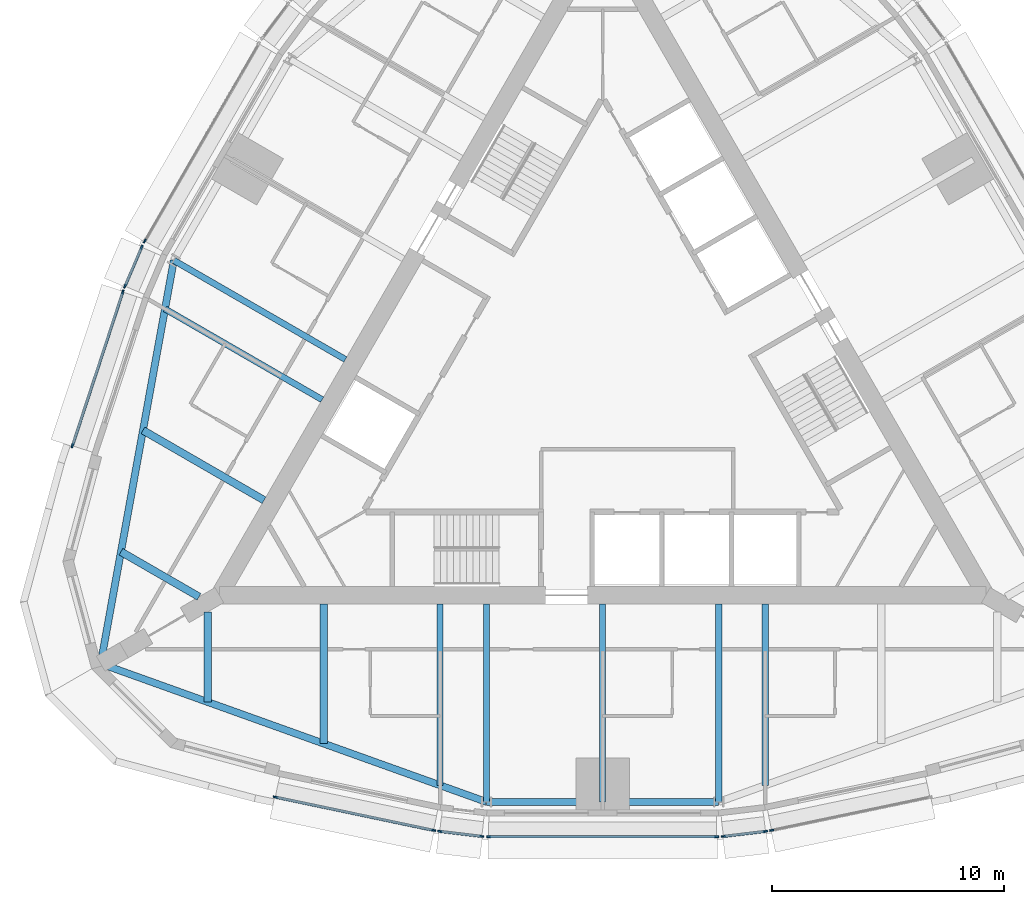
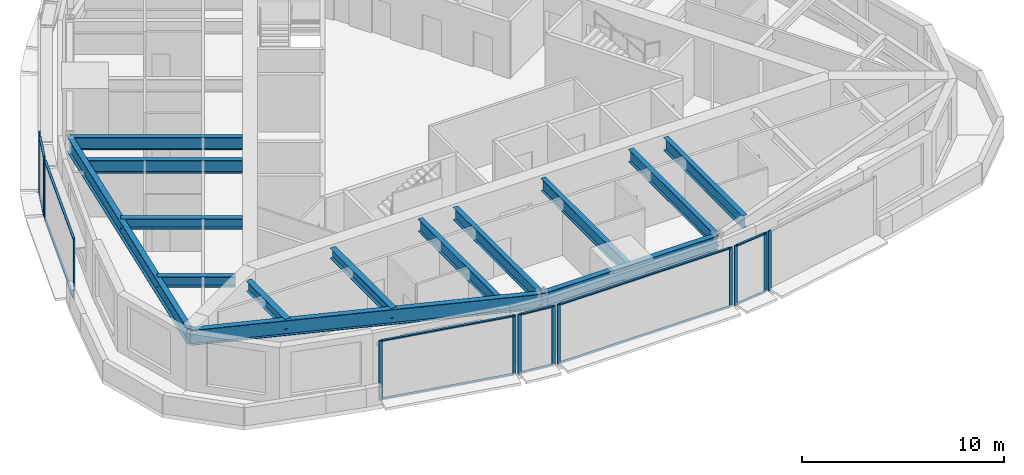
# One storey, part 2 of 13: 26 members, 14 beams, 8 elements without a shape of their own.
"""IFC4 building model written with IfcOpenShell, lengths in metres."""

import ifcopenshell
import ifcopenshell.guid

model = None  # the IFC model being written
_history = None  # IfcOwnerHistory: only IFC2X3 demands one
_inside = {}  # id of a spatial element -> (the spatial element, [elements in it])
_under = {}  # id of a project, library or spatial element -> (it, [spatial elements below it])
_declared = {}  # id of a project -> (the project, [libraries it declares])
_typed = {}  # id of a type object -> (the type object, [elements of that type])
_made_of = {}  # id of a material, layer set ... -> (it, [elements and type objects made of it])


def new_model(schema):
    """Start an empty IFC model of exactly this schema.

    Asked for "IFC4X3", IfcOpenShell would pick the latest addendum, in which some entities
    have other attributes; the version numbers below select the first issue.
    IFC2X3 requires an IfcOwnerHistory on every rooted entity: one is made here for all.
    """
    global model, _history
    if schema == "IFC4X3":
        model = ifcopenshell.file(schema_version=(4, 3, 0, 0))
    else:
        model = ifcopenshell.file(schema=schema)
    _inside.clear()
    _under.clear()
    _declared.clear()
    _typed.clear()
    _made_of.clear()
    _history = None
    if model.schema == "IFC2X3":
        org = make("IfcOrganization", Name="unknown")
        user = make(
            "IfcPersonAndOrganization",
            ThePerson=make("IfcPerson", FamilyName="unknown"),
            TheOrganization=org,
        )
        app = make(
            "IfcApplication",
            ApplicationDeveloper=org,
            Version="unknown",
            ApplicationFullName="unknown",
            ApplicationIdentifier="unknown",
        )
        _history = make(
            "IfcOwnerHistory",
            OwningUser=user,
            OwningApplication=app,
            ChangeAction="ADDED",
            CreationDate=0,
        )
    return model


def make(cls, **values):
    """One entity of the class cls with the attributes given. An attribute that is None is left unset."""
    return model.create_entity(
        cls, **{name: value for name, value in values.items() if value is not None}
    )


def rooted(cls, **values):
    """An entity with a GlobalId (a new one), such as an element, a storey or a relation."""
    return make(cls, GlobalId=ifcopenshell.guid.new(), OwnerHistory=_history, **values)


def si_unit(unit_type, name, prefix=None):
    """IfcSIUnit, for example si_unit("LENGTHUNIT", "METRE", prefix="MILLI")."""
    return make("IfcSIUnit", UnitType=unit_type, Prefix=prefix, Name=name)


def assignment(units):
    """IfcUnitAssignment: the units of a project."""
    return None if units is None else make("IfcUnitAssignment", Units=units)


def point(xyz):
    """IfcCartesianPoint."""
    return None if xyz is None else make("IfcCartesianPoint", Coordinates=xyz)


def direction(xyz):
    """IfcDirection."""
    return None if xyz is None else make("IfcDirection", DirectionRatios=xyz)


def frame(location, z_axis=None, x_axis=None):
    """IfcAxis2Placement3D, a coordinate frame: its origin and axes. An axis left out is left unset."""
    return make(
        "IfcAxis2Placement3D",
        Location=point(location),
        Axis=direction(z_axis),
        RefDirection=direction(x_axis),
    )


def frame_2d(location, x_axis=None):
    """IfcAxis2Placement2D, a coordinate frame in the plane: its origin and x axis."""
    return make(
        "IfcAxis2Placement2D", Location=point(location), RefDirection=direction(x_axis)
    )


def origin():
    """The frame at (0, 0, 0) with its axes left unset."""
    return frame((0.0, 0.0, 0.0))


def origin_2d():
    """The frame at (0, 0) in the plane with its x axis left unset."""
    return frame_2d((0.0, 0.0))


def place(relative_to, where):
    """IfcLocalPlacement: puts the frame where relative to a parent placement (None: the world)."""
    return make(
        "IfcLocalPlacement", PlacementRelTo=relative_to, RelativePlacement=where
    )


def context(
    kind, dimensions, precision=None, world=None, true_north=None, identifier=None
):
    """IfcGeometricRepresentationContext, for example the 3D "Model" context."""
    return make(
        "IfcGeometricRepresentationContext",
        ContextIdentifier=identifier,
        ContextType=kind,
        CoordinateSpaceDimension=dimensions,
        Precision=precision,
        WorldCoordinateSystem=world,
        TrueNorth=true_north,
    )


def subcontext(parent, identifier, kind, view, scale=None):
    """IfcGeometricRepresentationSubContext, for example "Body" below "Model"."""
    return make(
        "IfcGeometricRepresentationSubContext",
        ContextIdentifier=identifier,
        ContextType=kind,
        ParentContext=parent,
        TargetScale=scale,
        TargetView=view,
    )


def project(units=None, contexts=None):
    """IfcProject with its units and contexts."""
    return rooted(
        "IfcProject",
        Name="project",
        RepresentationContexts=contexts,
        UnitsInContext=assignment(units),
    )


def spatial(cls, under=None, at=None, **own):
    """A site, building, storey or space (cls), placed at a placement, below another one or the project."""
    s = rooted(cls, ObjectPlacement=at, **own)
    if under is not None:
        _under.setdefault(under.id(), (under, []))[1].append(s)
    return s


def profile(cls, at=None, kind="AREA", **sizes):
    """A parametric profile (cls). Its sizes go by their IFC names, for example OverallWidth=200.0."""
    return make(cls, ProfileType=kind, Position=at, **sizes)


def rectangle(**sizes):
    """IfcRectangleProfileDef."""
    return profile("IfcRectangleProfileDef", **sizes)


def i_section(**sizes):
    """IfcIShapeProfileDef."""
    return profile("IfcIShapeProfileDef", **sizes)


def extrude(swept, where, along, depth):
    """IfcExtrudedAreaSolid: the profile swept, set in the frame where, extruded along a direction by depth."""
    return make(
        "IfcExtrudedAreaSolid",
        SweptArea=swept,
        Position=where,
        ExtrudedDirection=direction(along),
        Depth=depth,
    )


def shape(context_of_items, identifier, shape_type, items):
    """IfcShapeRepresentation: the items that make up one representation, for example the "Body"."""
    return make(
        "IfcShapeRepresentation",
        ContextOfItems=context_of_items,
        RepresentationIdentifier=identifier,
        RepresentationType=shape_type,
        Items=items,
    )


def material(Name=None, Category=None):
    """IfcMaterial."""
    return make("IfcMaterial", Name=Name, Category=Category)


def material_profile(
    of_material, cross_section, Name=None, Category=None, Priority=None
):
    """IfcMaterialProfile: a cross section and its material."""
    return make(
        "IfcMaterialProfile",
        Name=Name,
        Material=of_material,
        Profile=cross_section,
        Priority=Priority,
        Category=Category,
    )


def profile_set(profiles, Name=None, composite=None):
    """IfcMaterialProfileSet."""
    return make(
        "IfcMaterialProfileSet",
        Name=Name,
        MaterialProfiles=profiles,
        CompositeProfile=composite,
    )


def made_of(thing, what):
    """Note that an element or type object is made of a material, layer set ...; save() writes the relation."""
    if what is not None:
        _made_of.setdefault(what.id(), (what, []))[1].append(thing)
    return thing


def type_object(cls, material=None, **own):
    """A type object (cls), such as IfcWallType, which elements share."""
    return made_of(rooted(cls, **own), material)


def element(
    cls,
    number,
    at=None,
    inside=None,
    cuts=None,
    type_object=None,
    material=None,
    context=None,
    identifier="Body",
    shape_type=None,
    held_by="IfcProductDefinitionShape",
    body=None,
    shapes=None,
    **own,
):
    """One element of the class cls, such as IfcWall. Its Tag is "e" and its number.

    at: its placement. inside: the storey or other place that contains it. cuts: it is an
    opening in that element (IfcRelVoidsElement). A single representation is given by context,
    identifier, shape_type and body (its items); several are given by shapes. held_by: the class
    of the entity that holds the representations. save() writes the other relations.
    """
    e = rooted(cls, Tag="e%d" % number, ObjectPlacement=at, **own)
    if body is not None:
        shapes = [shape(context, identifier, shape_type, body)]
    if shapes is not None:
        e.Representation = make(held_by, Representations=shapes)
    if inside is not None:
        _inside.setdefault(inside.id(), (inside, []))[1].append(e)
    if cuts is not None:
        rooted(
            "IfcRelVoidsElement", RelatingBuildingElement=cuts, RelatedOpeningElement=e
        )
    if type_object is not None:
        _typed.setdefault(type_object.id(), (type_object, []))[1].append(e)
    return made_of(e, material)


def aggregate(whole, parts):
    """IfcRelAggregates: a whole, such as a stair, and the parts it consists of."""
    return rooted("IfcRelAggregates", RelatingObject=whole, RelatedObjects=parts)


def save(model, path):
    """Write the relations noted so far, then the file.

    IfcRelAggregates (storeys below a building ...), IfcRelContainedInSpatialStructure (elements
    in a storey), IfcRelDefinesByType, IfcRelAssociatesMaterial and IfcRelDeclares: one each for
    every whole, place, type object, material and project.
    """
    for whole, parts in _under.values():
        aggregate(whole, parts)
    for where, things in _inside.values():
        rooted(
            "IfcRelContainedInSpatialStructure",
            RelatedElements=things,
            RelatingStructure=where,
        )
    for kind, things in _typed.values():
        rooted("IfcRelDefinesByType", RelatedObjects=things, RelatingType=kind)
    for what, things in _made_of.values():
        rooted("IfcRelAssociatesMaterial", RelatedObjects=things, RelatingMaterial=what)
    for by, libraries in _declared.values():
        rooted("IfcRelDeclares", RelatingContext=by, RelatedDefinitions=libraries)
    model.write(path)


model = new_model("IFC4")

# Units and contexts
model_context = context("Model", 3, precision=1e-05, world=origin(), true_north=direction((0.0, 1.0)))
body_context = subcontext(model_context, "Body", "Model", "MODEL_VIEW")
ifc_project = project(units=[si_unit("LENGTHUNIT", "METRE"), si_unit("AREAUNIT", "SQUARE_METRE"), si_unit("VOLUMEUNIT", "CUBIC_METRE"), si_unit("PLANEANGLEUNIT", "RADIAN"), si_unit("MASSUNIT", "GRAM", prefix="KILO")], contexts=[model_context])

# Site, building, storey
site_placement = place(None, origin())
site = spatial("IfcSite", under=ifc_project, at=site_placement, CompositionType="ELEMENT")
building_placement = place(site_placement, origin())
building = spatial("IfcBuilding", under=site, at=building_placement, Name="Trikona Tower", CompositionType="ELEMENT")
storey_placement = place(building_placement, frame((0.0, 0.0, 239.300048828125)))
storey = spatial("IfcBuildingStorey", under=building, at=storey_placement, Name="L63", CompositionType="ELEMENT", Elevation=239.300048828125)

# Curtain wall, members
ifc_material_1 = material(Name="Aluminium curtain wall system", Category="aluminium")
curtain_wall_type = type_object("IfcCurtainWallType", Name="Curtain wall DS3", PredefinedType="NOTDEFINED", material=ifc_material_1)
curtain_wall_1_placement = place(storey_placement, origin())
curtain_wall_1 = element("IfcCurtainWall", 1, at=curtain_wall_1_placement, inside=storey, type_object=curtain_wall_type, Name="Curtain wall DS3 L63", PredefinedType="NOTDEFINED")
ifc_material_2 = material(Name="Aluminium mullion, pale anodised", Category="aluminium")
ifc_material_profile_1 = material_profile(ifc_material_2, rectangle(XDim=0.070068359375, YDim=0.179931640625, at=origin_2d()), Name="MUL-DS3")
ifc_profile_set_1 = profile_set([ifc_material_profile_1], Name="Aluminium mullion, pale anodised")
member_type_1 = type_object("IfcMemberType", Name="Mullion DS3 70x180", PredefinedType="MULLION", material=ifc_profile_set_1)
member_1_placement = place(storey_placement, frame((-14.092041015625, -18.220703125, 0.0), z_axis=(0.0, 0.0, 1.0), x_axis=(0.205527448396, 0.978651351583, 0.0)))
member_1 = element("IfcMember", 2, at=member_1_placement, type_object=member_type_1, Name="CW-DS3 mullion 1", PredefinedType="MULLION", context=body_context, shape_type="SweptSolid", body=[
    extrude(rectangle(XDim=0.070068359375, YDim=0.179931640625, at=origin_2d()), origin(), (0.0, 0.0, 1.0), 3.599853515625),
])
member_2_placement = place(storey_placement, frame((-7.27783203125, -19.65185546875, 0.0), z_axis=(0.0, 0.0, 1.0), x_axis=(0.205527448396, 0.978651351583, 0.0)))
member_2 = element("IfcMember", 3, at=member_2_placement, type_object=member_type_1, Name="CW-DS3 mullion 2", PredefinedType="MULLION", context=body_context, shape_type="SweptSolid", body=[
    extrude(rectangle(XDim=0.070068359375, YDim=0.179931640625, at=origin_2d()), origin(), (0.0, 0.0, 1.0), 3.599853515625),
])

curtain_wall_2_placement = place(storey_placement, origin())
curtain_wall_2 = element("IfcCurtainWall", 4, at=curtain_wall_2_placement, inside=storey, type_object=curtain_wall_type, Name="Curtain wall DS3 L63", PredefinedType="NOTDEFINED")
member_3_placement = place(storey_placement, frame((-7.012939453125, -19.6953125, 0.0), z_axis=(0.0, 0.0, 1.0), x_axis=(0.119141057581, 0.992877338043, 0.0)))
member_3 = element("IfcMember", 5, at=member_3_placement, type_object=member_type_1, Name="CW-DS3 mullion 1", PredefinedType="MULLION", context=body_context, shape_type="SweptSolid", body=[
    extrude(rectangle(XDim=0.070068359375, YDim=0.179931640625, at=origin_2d()), origin(), (0.0, 0.0, 1.0), 3.599853515625),
])
member_4_placement = place(storey_placement, frame((-5.20166015625, -19.912841796875, 0.0), z_axis=(0.0, 0.0, 1.0), x_axis=(0.119141057581, 0.992877338043, 0.0)))
member_4 = element("IfcMember", 6, at=member_4_placement, type_object=member_type_1, Name="CW-DS3 mullion 2", PredefinedType="MULLION", context=body_context, shape_type="SweptSolid", body=[
    extrude(rectangle(XDim=0.070068359375, YDim=0.179931640625, at=origin_2d()), origin(), (0.0, 0.0, 1.0), 3.599853515625),
])

curtain_wall_3_placement = place(storey_placement, origin())
curtain_wall_3 = element("IfcCurtainWall", 7, at=curtain_wall_3_placement, inside=storey, type_object=curtain_wall_type, Name="Curtain wall DS3 L63", PredefinedType="NOTDEFINED")
member_5_placement = place(storey_placement, frame((-4.905029296875, -19.930419921875, 0.0), z_axis=(0.0, 0.0, 1.0), x_axis=(0.0, 1.0, 0.0)))
member_5 = element("IfcMember", 8, at=member_5_placement, type_object=member_type_1, Name="CW-DS3 mullion 1", PredefinedType="MULLION", context=body_context, shape_type="SweptSolid", body=[
    extrude(rectangle(XDim=0.070068359375, YDim=0.179931640625, at=origin_2d()), origin(), (0.0, 0.0, 1.0), 3.599853515625),
])
member_6_placement = place(storey_placement, frame((4.905029296875, -19.930419921875, 0.0), z_axis=(0.0, 0.0, 1.0), x_axis=(0.0, 1.0, 0.0)))
member_6 = element("IfcMember", 9, at=member_6_placement, type_object=member_type_1, Name="CW-DS3 mullion 2", PredefinedType="MULLION", context=body_context, shape_type="SweptSolid", body=[
    extrude(rectangle(XDim=0.070068359375, YDim=0.179931640625, at=origin_2d()), origin(), (0.0, 0.0, 1.0), 3.599853515625),
])

curtain_wall_4_placement = place(storey_placement, origin())
curtain_wall_4 = element("IfcCurtainWall", 10, at=curtain_wall_4_placement, inside=storey, type_object=curtain_wall_type, Name="Curtain wall DS3 L63", PredefinedType="NOTDEFINED")
member_7_placement = place(storey_placement, frame((5.20166015625, -19.912841796875, 0.0), z_axis=(0.0, 0.0, 1.0), x_axis=(-0.119141057581, 0.992877338043, 0.0)))
member_7 = element("IfcMember", 11, at=member_7_placement, type_object=member_type_1, Name="CW-DS3 mullion 1", PredefinedType="MULLION", context=body_context, shape_type="SweptSolid", body=[
    extrude(rectangle(XDim=0.070068359375, YDim=0.179931640625, at=origin_2d()), origin(), (0.0, 0.0, 1.0), 3.599853515625),
])
member_8_placement = place(storey_placement, frame((7.012939453125, -19.6953125, 0.0), z_axis=(0.0, 0.0, 1.0), x_axis=(-0.119141057581, 0.992877338043, 0.0)))
member_8 = element("IfcMember", 12, at=member_8_placement, type_object=member_type_1, Name="CW-DS3 mullion 2", PredefinedType="MULLION", context=body_context, shape_type="SweptSolid", body=[
    extrude(rectangle(XDim=0.070068359375, YDim=0.179931640625, at=origin_2d()), origin(), (0.0, 0.0, 1.0), 3.599853515625),
])

# Curtain wall, member
curtain_wall_5_placement = place(storey_placement, origin())
curtain_wall_5 = element("IfcCurtainWall", 13, at=curtain_wall_5_placement, inside=storey, type_object=curtain_wall_type, Name="Curtain wall DS3 L63", PredefinedType="NOTDEFINED")
member_9_placement = place(storey_placement, frame((7.27783203125, -19.65185546875, 0.0), z_axis=(0.0, 0.0, 1.0), x_axis=(-0.205527448396, 0.978651351583, 0.0)))
member_9 = element("IfcMember", 14, at=member_9_placement, type_object=member_type_1, Name="CW-DS3 mullion 1", PredefinedType="MULLION", context=body_context, shape_type="SweptSolid", body=[
    extrude(rectangle(XDim=0.070068359375, YDim=0.179931640625, at=origin_2d()), origin(), (0.0, 0.0, 1.0), 3.599853515625),
])
aggregate(curtain_wall_5, [member_9])

curtain_wall_6_placement = place(storey_placement, origin())
curtain_wall_6 = element("IfcCurtainWall", 15, at=curtain_wall_6_placement, inside=storey, type_object=curtain_wall_type, Name="Curtain wall DS3 L63", PredefinedType="NOTDEFINED")
member_10_placement = place(storey_placement, frame((-19.712890625, 5.717529296875, 0.0), z_axis=(0.0, 0.0, 1.0), x_axis=(0.866024619633, -0.500001358187, 0.0)))
member_10 = element("IfcMember", 16, at=member_10_placement, type_object=member_type_1, Name="CW-DS3 mullion 2", PredefinedType="MULLION", context=body_context, shape_type="SweptSolid", body=[
    extrude(rectangle(XDim=0.070068359375, YDim=0.179931640625, at=origin_2d()), origin(), (0.0, 0.0, 1.0), 3.599853515625),
])
aggregate(curtain_wall_6, [member_10])

# Curtain wall, members
curtain_wall_7_placement = place(storey_placement, origin())
curtain_wall_7 = element("IfcCurtainWall", 17, at=curtain_wall_7_placement, inside=storey, type_object=curtain_wall_type, Name="Curtain wall DS3 L63", PredefinedType="NOTDEFINED")
member_11_placement = place(storey_placement, frame((-19.845703125, 5.45166015625, 0.0), z_axis=(0.0, 0.0, 1.0), x_axis=(0.919420580163, -0.393275726143, 0.0)))
member_11 = element("IfcMember", 18, at=member_11_placement, type_object=member_type_1, Name="CW-DS3 mullion 1", PredefinedType="MULLION", context=body_context, shape_type="SweptSolid", body=[
    extrude(rectangle(XDim=0.070068359375, YDim=0.179931640625, at=origin_2d()), origin(), (0.0, 0.0, 1.0), 3.599853515625),
])
member_12_placement = place(storey_placement, frame((-20.563232421875, 3.7744140625, 0.0), z_axis=(0.0, 0.0, 1.0), x_axis=(0.919420580163, -0.393275726143, 0.0)))
member_12 = element("IfcMember", 19, at=member_12_placement, type_object=member_type_1, Name="CW-DS3 mullion 2", PredefinedType="MULLION", context=body_context, shape_type="SweptSolid", body=[
    extrude(rectangle(XDim=0.070068359375, YDim=0.179931640625, at=origin_2d()), origin(), (0.0, 0.0, 1.0), 3.599853515625),
])

curtain_wall_8_placement = place(storey_placement, origin())
curtain_wall_8 = element("IfcCurtainWall", 20, at=curtain_wall_8_placement, inside=storey, type_object=curtain_wall_type, Name="Curtain wall DS3 L63", PredefinedType="NOTDEFINED")
member_13_placement = place(storey_placement, frame((-20.657958984375, 3.52294921875, 0.0), z_axis=(0.0, 0.0, 1.0), x_axis=(0.95029742275, -0.311343553515, 0.0)))
member_13 = element("IfcMember", 21, at=member_13_placement, type_object=member_type_1, Name="CW-DS3 mullion 1", PredefinedType="MULLION", context=body_context, shape_type="SweptSolid", body=[
    extrude(rectangle(XDim=0.070068359375, YDim=0.179931640625, at=origin_2d()), origin(), (0.0, 0.0, 1.0), 3.599853515625),
])
member_14_placement = place(storey_placement, frame((-22.82568359375, -3.09375, 0.0), z_axis=(0.0, 0.0, 1.0), x_axis=(0.95029742275, -0.311343553515, 0.0)))
member_14 = element("IfcMember", 22, at=member_14_placement, type_object=member_type_1, Name="CW-DS3 mullion 2", PredefinedType="MULLION", context=body_context, shape_type="SweptSolid", body=[
    extrude(rectangle(XDim=0.070068359375, YDim=0.179931640625, at=origin_2d()), origin(), (0.0, 0.0, 1.0), 3.599853515625),
])

# Beams
ifc_material_3 = material(Name="Steel ASTM A992 Grade 50", Category="steel")
ifc_material_profile_2 = material_profile(ifc_material_3, i_section(OverallWidth=0.3251953125, OverallDepth=0.612060546875, WebThickness=0.0126953125, FlangeThickness=0.01904296875, at=origin_2d()), Name="W24X104")
ifc_profile_set_2 = profile_set([ifc_material_profile_2], Name="Steel ASTM A992 Grade 50")
beam_type_1 = type_object("IfcBeamType", Name="Steel beam W24x104 (wedge upper)", PredefinedType="BEAM", material=ifc_profile_set_2)
beam_1_placement = place(storey_placement, frame((-17.0, -10.248046875, 3.12890625), z_axis=(0.0, -1.0, 0.0), x_axis=(1.0, 0.0, 0.0)))
element("IfcBeam", 23, at=beam_1_placement, inside=storey, type_object=beam_type_1, Name="Floor beam L64 F1 u-17", PredefinedType="BEAM", context=body_context, shape_type="SweptSolid", body=[
    extrude(i_section(OverallWidth=0.3251953125, OverallDepth=0.612060546875, WebThickness=0.0126953125, FlangeThickness=0.01904296875, at=origin_2d()), origin(), (0.0, 0.0, 1.0), 3.881103515625),
])
for number, where, z_axis, x_axis, name in (
    (24, (-12.0, -9.9013671875, 3.12890625), (0.0, -1.0, 0.0), (1.0, 0.0, 0.0), "Floor beam L64 F1 u-12"),
    (25, (-14.57470703125, -5.441650390625, 3.12890625), (-0.866030935233, 0.499990419128, 0.0), (-0.499990419128, -0.866030935233, 0.0), "Floor beam L64 F3 u12"),
):
    element("IfcBeam", number, at=place(storey_placement, frame(where, z_axis=z_axis, x_axis=x_axis)), inside=storey, type_object=beam_type_1, Name=name, PredefinedType="BEAM", context=body_context, shape_type="SweptSolid", body=[
        extrude(i_section(OverallWidth=0.3251953125, OverallDepth=0.612060546875, WebThickness=0.0126953125, FlangeThickness=0.01904296875, at=origin_2d()), origin(), (0.0, 0.0, 1.0), 6.02001953125),
    ])
beam_2_placement = place(storey_placement, frame((-17.375, -9.598388671875, 3.12890625), z_axis=(-0.866024273614, 0.500001957507, 0.0), x_axis=(-0.500001957507, -0.866024273614, 0.0)))
element("IfcBeam", 26, at=beam_2_placement, inside=storey, type_object=beam_type_1, Name="Floor beam L64 F3 u17", PredefinedType="BEAM", context=body_context, shape_type="SweptSolid", body=[
    extrude(i_section(OverallWidth=0.3251953125, OverallDepth=0.612060546875, WebThickness=0.0126953125, FlangeThickness=0.01904296875, at=origin_2d()), origin(), (0.0, 0.0, 1.0), 3.88134765625),
])
ifc_material_4 = material(Name="Steel ASTM A992 Grade 50", Category="steel")
ifc_material_profile_3 = material_profile(ifc_material_4, i_section(OverallWidth=0.2666015625, OverallDepth=0.7568359375, WebThickness=0.013916015625, FlangeThickness=0.019287109375, at=origin_2d()), Name="W30X108")
ifc_profile_set_3 = profile_set([ifc_material_profile_3], Name="Steel ASTM A992 Grade 50")
beam_type_2 = type_object("IfcBeamType", Name="Steel beam W30x108 (radial upper)", PredefinedType="BEAM", material=ifc_profile_set_3)
beam_3_placement = place(storey_placement, frame((-7.0, -9.9013671875, 3.056396484375), z_axis=(0.0, -1.0, 0.0), x_axis=(1.0, 0.0, 0.0)))
element("IfcBeam", 27, at=beam_3_placement, inside=storey, type_object=beam_type_2, Name="Floor beam L64 F1 u-7", PredefinedType="BEAM", context=body_context, shape_type="SweptSolid", body=[
    extrude(i_section(OverallWidth=0.2666015625, OverallDepth=0.7568359375, WebThickness=0.013916015625, FlangeThickness=0.019287109375, at=origin_2d()), origin(), (0.0, 0.0, 1.0), 7.812255859375),
])
for number, where, z_axis, x_axis, name in (
    (28, (-5.0, -9.9013671875, 3.056396484375), (0.0, -1.0, 0.0), (1.0, 0.0, 0.0), "Floor beam L64 F1 u-5"),
    (29, (0.0, -9.9013671875, 3.056396484375), (0.0, -1.0, 0.0), (1.0, 0.0, 0.0), "Floor beam L64 F1 u0"),
    (30, (5.0, -9.9013671875, 3.056396484375), (0.0, -1.0, 0.0), (1.0, 0.0, 0.0), "Floor beam L64 F1 u5"),
):
    element("IfcBeam", number, at=place(storey_placement, frame(where, z_axis=z_axis, x_axis=x_axis)), inside=storey, type_object=beam_type_2, Name=name, PredefinedType="BEAM", context=body_context, shape_type="SweptSolid", body=[
        extrude(i_section(OverallWidth=0.2666015625, OverallDepth=0.7568359375, WebThickness=0.013916015625, FlangeThickness=0.019287109375, at=origin_2d()), origin(), (0.0, 0.0, 1.0), 8.529052734375),
    ])
beam_4_placement = place(storey_placement, frame((7.0, -9.9013671875, 3.056396484375), z_axis=(0.0, -1.0, 0.0), x_axis=(1.0, 0.0, 0.0)))
element("IfcBeam", 31, at=beam_4_placement, inside=storey, type_object=beam_type_2, Name="Floor beam L64 F1 u7", PredefinedType="BEAM", context=body_context, shape_type="SweptSolid", body=[
    extrude(i_section(OverallWidth=0.2666015625, OverallDepth=0.7568359375, WebThickness=0.013916015625, FlangeThickness=0.019287109375, at=origin_2d()), origin(), (0.0, 0.0, 1.0), 7.812255859375),
])
beam_5_placement = place(storey_placement, frame((-11.07470703125, 0.62060546875, 3.056396484375), z_axis=(-0.866034481505, 0.499984276597, 0.0), x_axis=(-0.499984276597, -0.866034481505, 0.0)))
element("IfcBeam", 32, at=beam_5_placement, inside=storey, type_object=beam_type_2, Name="Floor beam L64 F3 u5", PredefinedType="BEAM", context=body_context, shape_type="SweptSolid", body=[
    extrude(i_section(OverallWidth=0.2666015625, OverallDepth=0.7568359375, WebThickness=0.013916015625, FlangeThickness=0.019287109375, at=origin_2d()), origin(), (0.0, 0.0, 1.0), 8.529052734375),
])
beam_6_placement = place(storey_placement, frame((-12.07470703125, -1.111572265625, 3.056396484375), z_axis=(-0.866026865327, 0.499997468525, 0.0), x_axis=(-0.499997468525, -0.866026865327, 0.0)))
element("IfcBeam", 33, at=beam_6_placement, inside=storey, type_object=beam_type_2, Name="Floor beam L64 F3 u7", PredefinedType="BEAM", context=body_context, shape_type="SweptSolid", body=[
    extrude(i_section(OverallWidth=0.2666015625, OverallDepth=0.7568359375, WebThickness=0.013916015625, FlangeThickness=0.019287109375, at=origin_2d()), origin(), (0.0, 0.0, 1.0), 7.8125),
])
ifc_material_5 = material(Name="Steel ASTM A992 Grade 50", Category="steel")
ifc_material_profile_4 = material_profile(ifc_material_5, i_section(OverallWidth=0.3046875, OverallDepth=0.911865234375, WebThickness=0.015869140625, FlangeThickness=0.02392578125, at=origin_2d()), Name="W36X150")
ifc_profile_set_4 = profile_set([ifc_material_profile_4], Name="Steel ASTM A992 Grade 50")
beam_type_3 = type_object("IfcBeamType", Name="Steel beam W36x150 (spandrel upper)", PredefinedType="SPANDREL", material=ifc_profile_set_4)
beam_7_placement = place(storey_placement, frame((-21.6103515625, -12.476806640625, 2.97900390625), z_axis=(0.941358144832, -0.337409014637, 0.0), x_axis=(0.337409014637, 0.941358144832, 0.0)))
element("IfcBeam", 34, at=beam_7_placement, inside=storey, type_object=beam_type_3, Name="Spandrel beam L64 F1-1", PredefinedType="SPANDREL", context=body_context, shape_type="SweptSolid", body=[
    extrude(i_section(OverallWidth=0.3046875, OverallDepth=0.911865234375, WebThickness=0.015869140625, FlangeThickness=0.02392578125, at=origin_2d()), origin(), (0.0, 0.0, 1.0), 17.64501953125),
])
beam_8_placement = place(storey_placement, frame((-5.0, -18.430419921875, 2.97900390625), z_axis=(1.0, 0.0, 0.0), x_axis=(0.0, 1.0, 0.0)))
element("IfcBeam", 35, at=beam_8_placement, inside=storey, type_object=beam_type_3, Name="Spandrel beam L64 F1-2", PredefinedType="SPANDREL", context=body_context, shape_type="SweptSolid", body=[
    extrude(i_section(OverallWidth=0.3046875, OverallDepth=0.911865234375, WebThickness=0.015869140625, FlangeThickness=0.02392578125, at=origin_2d()), origin(), (0.0, 0.0, 1.0), 10.0),
])
beam_9_placement = place(storey_placement, frame((-18.461181640625, 4.885009765625, 2.97900390625), z_axis=(-0.178472662054, -0.983944870864, 0.0), x_axis=(0.983944870864, -0.178472662054, 0.0)))
element("IfcBeam", 36, at=beam_9_placement, inside=storey, type_object=beam_type_3, Name="Spandrel beam L64 F3-3", PredefinedType="SPANDREL", context=body_context, shape_type="SweptSolid", body=[
    extrude(i_section(OverallWidth=0.3046875, OverallDepth=0.911865234375, WebThickness=0.015869140625, FlangeThickness=0.02392578125, at=origin_2d()), origin(), (0.0, 0.0, 1.0), 17.64501953125),
])

# Member
ifc_material_6 = material(Name="Aluminium transom, pale anodised", Category="aluminium")
ifc_material_profile_5 = material_profile(ifc_material_6, rectangle(XDim=0.1201171875, YDim=0.070068359375, at=origin_2d()), Name="TRN-DS3")
ifc_profile_set_5 = profile_set([ifc_material_profile_5], Name="Aluminium transom, pale anodised")
member_type_2 = type_object("IfcMemberType", Name="Transom DS3 70x120", PredefinedType="USERDEFINED", material=ifc_profile_set_5)
member_15_placement = place(storey_placement, frame((-14.0576171875, -18.22802734375, 0.034912109375), z_axis=(0.978654137783, -0.205514181021, 0.0), x_axis=(0.205514181021, 0.978654137783, 0.0)))
member_15 = element("IfcMember", 37, at=member_15_placement, type_object=member_type_2, Name="CW-DS3 transom 1.1", ObjectType="TRANSOM", PredefinedType="USERDEFINED", context=body_context, shape_type="SweptSolid", body=[
    extrude(rectangle(XDim=0.1201171875, YDim=0.070068359375, at=origin_2d()), origin(), (0.0, 0.0, 1.0), 6.892578125),
])

member_16_placement = place(storey_placement, frame((-14.0576171875, -18.22802734375, 3.56494140625), z_axis=(0.978654137783, -0.205514181021, 0.0), x_axis=(0.205514181021, 0.978654137783, 0.0)))
member_16 = element("IfcMember", 38, at=member_16_placement, type_object=member_type_2, Name="CW-DS3 transom 1.2", ObjectType="TRANSOM", PredefinedType="USERDEFINED", context=body_context, shape_type="SweptSolid", body=[
    extrude(rectangle(XDim=0.1201171875, YDim=0.070068359375, at=origin_2d()), origin(), (0.0, 0.0, 1.0), 6.892578125),
])

aggregate(curtain_wall_1, [member_1, member_2, member_15, member_16])

member_17_placement = place(storey_placement, frame((-6.978271484375, -19.699462890625, 0.034912109375), z_axis=(0.992880130449, -0.119117784396, 0.0), x_axis=(0.119117784396, 0.992880130449, 0.0)))
member_17 = element("IfcMember", 39, at=member_17_placement, type_object=member_type_2, Name="CW-DS3 transom 1.1", ObjectType="TRANSOM", PredefinedType="USERDEFINED", context=body_context, shape_type="SweptSolid", body=[
    extrude(rectangle(XDim=0.1201171875, YDim=0.070068359375, at=origin_2d()), origin(), (0.0, 0.0, 1.0), 1.75439453125),
])

member_18_placement = place(storey_placement, frame((-6.978271484375, -19.699462890625, 3.56494140625), z_axis=(0.992880130449, -0.119117784396, 0.0), x_axis=(0.119117784396, 0.992880130449, 0.0)))
member_18 = element("IfcMember", 40, at=member_18_placement, type_object=member_type_2, Name="CW-DS3 transom 1.2", ObjectType="TRANSOM", PredefinedType="USERDEFINED", context=body_context, shape_type="SweptSolid", body=[
    extrude(rectangle(XDim=0.1201171875, YDim=0.070068359375, at=origin_2d()), origin(), (0.0, 0.0, 1.0), 1.75439453125),
])

aggregate(curtain_wall_2, [member_3, member_4, member_17, member_18])

member_19_placement = place(storey_placement, frame((-4.8701171875, -19.930419921875, 0.034912109375), z_axis=(1.0, 0.0, 0.0), x_axis=(0.0, 1.0, 0.0)))
member_19 = element("IfcMember", 41, at=member_19_placement, type_object=member_type_2, Name="CW-DS3 transom 1.1", ObjectType="TRANSOM", PredefinedType="USERDEFINED", context=body_context, shape_type="SweptSolid", body=[
    extrude(rectangle(XDim=0.1201171875, YDim=0.070068359375, at=origin_2d()), origin(), (0.0, 0.0, 1.0), 9.740234375),
])

member_20_placement = place(storey_placement, frame((-4.8701171875, -19.930419921875, 3.56494140625), z_axis=(1.0, 0.0, 0.0), x_axis=(0.0, 1.0, 0.0)))
member_20 = element("IfcMember", 42, at=member_20_placement, type_object=member_type_2, Name="CW-DS3 transom 1.2", ObjectType="TRANSOM", PredefinedType="USERDEFINED", context=body_context, shape_type="SweptSolid", body=[
    extrude(rectangle(XDim=0.1201171875, YDim=0.070068359375, at=origin_2d()), origin(), (0.0, 0.0, 1.0), 9.740234375),
])

aggregate(curtain_wall_3, [member_5, member_6, member_19, member_20])

member_21_placement = place(storey_placement, frame((5.236328125, -19.908447265625, 0.034912109375), z_axis=(0.992880130449, 0.119117784396, 0.0), x_axis=(-0.119117784396, 0.992880130449, 0.0)))
member_21 = element("IfcMember", 43, at=member_21_placement, type_object=member_type_2, Name="CW-DS3 transom 1.1", ObjectType="TRANSOM", PredefinedType="USERDEFINED", context=body_context, shape_type="SweptSolid", body=[
    extrude(rectangle(XDim=0.1201171875, YDim=0.070068359375, at=origin_2d()), origin(), (0.0, 0.0, 1.0), 1.75439453125),
])

member_22_placement = place(storey_placement, frame((5.236328125, -19.908447265625, 3.56494140625), z_axis=(0.992880130449, 0.119117784396, 0.0), x_axis=(-0.119117784396, 0.992880130449, 0.0)))
member_22 = element("IfcMember", 44, at=member_22_placement, type_object=member_type_2, Name="CW-DS3 transom 1.2", ObjectType="TRANSOM", PredefinedType="USERDEFINED", context=body_context, shape_type="SweptSolid", body=[
    extrude(rectangle(XDim=0.1201171875, YDim=0.070068359375, at=origin_2d()), origin(), (0.0, 0.0, 1.0), 1.75439453125),
])

aggregate(curtain_wall_4, [member_7, member_8, member_21, member_22])

member_23_placement = place(storey_placement, frame((-19.859619140625, 5.41943359375, 0.034912109375), z_axis=(-0.393314512783, -0.919403988481, 0.0), x_axis=(0.919403988481, -0.393314512783, 0.0)))
member_23 = element("IfcMember", 45, at=member_23_placement, type_object=member_type_2, Name="CW-DS3 transom 1.1", ObjectType="TRANSOM", PredefinedType="USERDEFINED", context=body_context, shape_type="SweptSolid", body=[
    extrude(rectangle(XDim=0.1201171875, YDim=0.070068359375, at=origin_2d()), origin(), (0.0, 0.0, 1.0), 1.754150390625),
])

member_24_placement = place(storey_placement, frame((-19.859619140625, 5.41943359375, 3.56494140625), z_axis=(-0.393314512783, -0.919403988481, 0.0), x_axis=(0.919403988481, -0.393314512783, 0.0)))
member_24 = element("IfcMember", 46, at=member_24_placement, type_object=member_type_2, Name="CW-DS3 transom 1.2", ObjectType="TRANSOM", PredefinedType="USERDEFINED", context=body_context, shape_type="SweptSolid", body=[
    extrude(rectangle(XDim=0.1201171875, YDim=0.070068359375, at=origin_2d()), origin(), (0.0, 0.0, 1.0), 1.754150390625),
])

aggregate(curtain_wall_7, [member_11, member_12, member_23, member_24])

member_25_placement = place(storey_placement, frame((-20.668701171875, 3.48974609375, 0.034912109375), z_axis=(-0.311346184, -0.950296560926, 0.0), x_axis=(0.950296560926, -0.311346184, 0.0)))
member_25 = element("IfcMember", 47, at=member_25_placement, type_object=member_type_2, Name="CW-DS3 transom 1.1", ObjectType="TRANSOM", PredefinedType="USERDEFINED", context=body_context, shape_type="SweptSolid", body=[
    extrude(rectangle(XDim=0.1201171875, YDim=0.070068359375, at=origin_2d()), origin(), (0.0, 0.0, 1.0), 6.892578125),
])

member_26_placement = place(storey_placement, frame((-20.668701171875, 3.48974609375, 3.56494140625), z_axis=(-0.311346184, -0.950296560926, 0.0), x_axis=(0.950296560926, -0.311346184, 0.0)))
member_26 = element("IfcMember", 48, at=member_26_placement, type_object=member_type_2, Name="CW-DS3 transom 1.2", ObjectType="TRANSOM", PredefinedType="USERDEFINED", context=body_context, shape_type="SweptSolid", body=[
    extrude(rectangle(XDim=0.1201171875, YDim=0.070068359375, at=origin_2d()), origin(), (0.0, 0.0, 1.0), 6.892578125),
])

aggregate(curtain_wall_8, [member_13, member_14, member_25, member_26])

save(model, "model.ifc")
